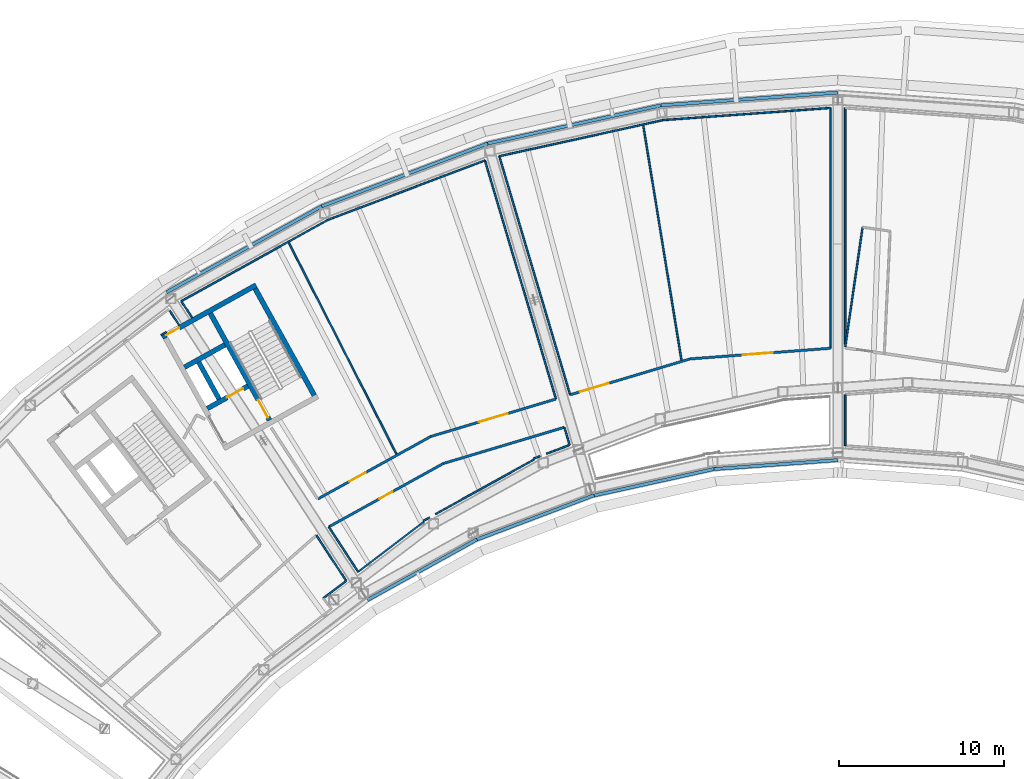
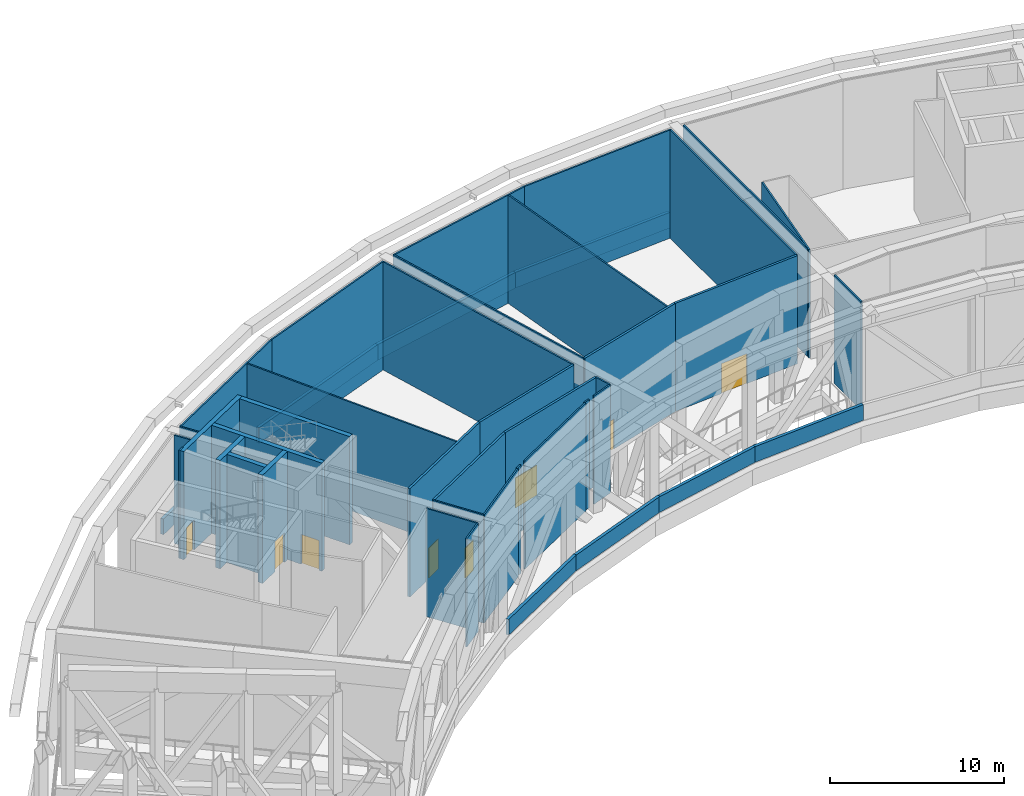
# One storey, part 8 of 24: 44 walls, 8 doors, 8 openings.
"""IFC4 building model written with IfcOpenShell, lengths in metres."""

from ifc_helpers import new_model, si_unit, direction, frame, frame_2d, origin, place, context, subcontext, project, spatial, rectangle, extrude, material, layer, layer_set, type_object, element, fill, save


model = new_model("IFC4")

# Units and contexts
model_context = context("Model", 3, precision=1e-05, world=origin(), true_north=direction((0.0, 1.0)))
body_context = subcontext(model_context, "Body", "Model", "MODEL_VIEW")
ifc_project = project(units=[si_unit("LENGTHUNIT", "METRE"), si_unit("AREAUNIT", "SQUARE_METRE"), si_unit("VOLUMEUNIT", "CUBIC_METRE"), si_unit("PLANEANGLEUNIT", "RADIAN"), si_unit("MASSUNIT", "GRAM", prefix="KILO")], contexts=[model_context])

# Site, building, storey
site_placement = place(None, origin())
site = spatial("IfcSite", under=ifc_project, at=site_placement, CompositionType="ELEMENT")
building_placement = place(site_placement, origin())
building = spatial("IfcBuilding", under=site, at=building_placement, Name="Tuul Gate Civic Tower", CompositionType="ELEMENT")
storey_placement = place(building_placement, frame((0.0, 0.0, 277.800048828125)))
storey = spatial("IfcBuildingStorey", under=building, at=storey_placement, Name="Wind floor 2", CompositionType="ELEMENT", Elevation=277.800048828125)

# Wall, opening, door
ifc_material_1 = material(Name="Concrete C50/60", Category="concrete")
ifc_layer_1 = layer(ifc_material_1, 0.300048828125)
ifc_layer_set_1 = layer_set([ifc_layer_1], Name="Concrete C50/60")
wall_type_1 = type_object("IfcWallType", Name="Core wall C50/60", PredefinedType="SHEAR", material=ifc_layer_set_1)
wall_1_placement = place(storey_placement, frame((-28.94580078125, -8.090087890625, 0.0), z_axis=(0.0, 0.0, 1.0), x_axis=(-0.874629840737, -0.484791338301, 0.0)))
wall_1 = element("IfcWall", 1, at=wall_1_placement, inside=storey, type_object=wall_type_1, Name="Core wall", PredefinedType="SHEAR", context=body_context, shape_type="SweptSolid", body=[
    extrude(rectangle(XDim=2.800048828125, YDim=0.300048828125, at=frame_2d((1.39990234375, 0.0))), origin(), (0.0, 0.0, 1.0), 7.599853515625),
])
opening_1_placement = place(wall_1_placement, frame((0.324951171875, 0.0, 0.0)))
opening_1 = element("IfcOpeningElement", 2, at=opening_1_placement, cuts=wall_1, Name="Opening LD-FF-1", PredefinedType="OPENING", context=body_context, shape_type="SweptSolid", body=[
    extrude(rectangle(XDim=1.10009765625, YDim=2.10009765625, at=frame_2d((0.550048828125, 1.050048828125))), frame((0.0, 0.16015625, 0.0), z_axis=(0.0, -1.0, 0.0), x_axis=(1.0, 0.0, 0.0)), (0.0, 0.0, 1.0), 0.320068359375),
])
ifc_material_2 = material(Name="Stainless steel", Category="steel")
door_type_1 = type_object("IfcDoorType", Name="Landing door", OperationType="DOUBLE_DOOR_SLIDING", PredefinedType="DOOR", material=ifc_material_2)
door_1_placement = place(opening_1_placement, origin())
door_1 = element("IfcDoor", 3, at=door_1_placement, inside=storey, type_object=door_type_1, Name="Fire-fighting lift FF-1 landing door", OperationType="DOUBLE_DOOR_SLIDING", OverallHeight=2.10009765625, OverallWidth=1.10009765625, PredefinedType="DOOR", context=body_context, shape_type="SweptSolid", body=[
    extrude(rectangle(XDim=1.10009765625, YDim=2.10009765625, at=frame_2d((0.550048828125, 1.050048828125))), frame((0.0, 0.02490234375, 0.0), z_axis=(0.0, -1.0, 0.0), x_axis=(1.0, 0.0, 0.0)), (0.0, 0.0, 1.0), 0.050048828125),
])
fill(opening_1, door_1)

# Wall
wall_2_placement = place(storey_placement, frame((-30.327392578125, -5.59716796875, 0.0), z_axis=(0.0, 0.0, 1.0), x_axis=(-0.874629840737, -0.484791338301, 0.0)))
element("IfcWall", 4, at=wall_2_placement, inside=storey, type_object=wall_type_1, Name="Core wall", PredefinedType="SHEAR", context=body_context, shape_type="SweptSolid", body=[
    extrude(rectangle(XDim=2.800048828125, YDim=0.300048828125, at=frame_2d((1.39990234375, 0.0))), origin(), (0.0, 0.0, 1.0), 7.599853515625),
])

# Wall, opening, door
wall_3_placement = place(storey_placement, frame((-28.4443359375, -1.98095703125, 0.0), z_axis=(0.0, 0.0, 1.0), x_axis=(-0.874629909008, -0.484791215132, 0.0)))
wall_3 = element("IfcWall", 5, at=wall_3_placement, inside=storey, type_object=wall_type_1, Name="Core wall", PredefinedType="SHEAR", context=body_context, shape_type="SweptSolid", body=[
    extrude(rectangle(XDim=6.5, YDim=0.300048828125, at=frame_2d((3.25, 0.0))), origin(), (0.0, 0.0, 1.0), 7.599853515625),
])
opening_2_placement = place(wall_3_placement, frame((5.324951171875, 0.0, 0.0)))
opening_2 = element("IfcOpeningElement", 6, at=opening_2_placement, cuts=wall_3, Name="Opening AG-D18", PredefinedType="OPENING", context=body_context, shape_type="SweptSolid", body=[
    extrude(rectangle(XDim=0.89990234375, YDim=2.10009765625, at=frame_2d((0.449951171875, 1.050048828125))), frame((0.0, 0.16015625, 0.0), z_axis=(0.0, -1.0, 0.0), x_axis=(1.0, 0.0, 0.0)), (0.0, 0.0, 1.0), 0.320068359375),
])
ifc_material_3 = material(Name="Timber door leaf", Category="wood")
door_type_2 = type_object("IfcDoorType", Name="Door D09", OperationType="NOTDEFINED", PredefinedType="DOOR", material=ifc_material_3)
door_2_placement = place(opening_2_placement, origin())
door_2 = element("IfcDoor", 7, at=door_2_placement, inside=storey, type_object=door_type_2, Name="Door AG-D18", OperationType="SINGLE_SWING_LEFT", OverallHeight=2.10009765625, OverallWidth=0.89990234375, PredefinedType="DOOR", context=body_context, shape_type="SweptSolid", body=[
    extrude(rectangle(XDim=0.89990234375, YDim=2.10009765625, at=frame_2d((0.449951171875, 1.050048828125))), frame((0.0, 0.02490234375, 0.0), z_axis=(0.0, -1.0, 0.0), x_axis=(1.0, 0.0, 0.0)), (0.0, 0.0, 1.0), 0.050048828125),
])
fill(opening_2, door_2)

# Wall
wall_4_placement = place(storey_placement, frame((-24.91552734375, -8.6572265625, 0.0), z_axis=(0.0, 0.0, 1.0), x_axis=(-0.484777133038, 0.874637714304, 0.0)))
element("IfcWall", 8, at=wall_4_placement, inside=storey, type_object=wall_type_1, Name="Core wall", PredefinedType="SHEAR", context=body_context, shape_type="SweptSolid", body=[
    extrude(rectangle(XDim=7.400146484375, YDim=0.300048828125, at=frame_2d((3.7001953125, 0.0))), origin(), (0.0, 0.0, 1.0), 7.599853515625),
])

# Wall, opening, door
wall_5_placement = place(storey_placement, frame((-27.626953125, -10.16015625, 0.0), z_axis=(0.0, 0.0, 1.0), x_axis=(-0.484751894226, 0.874651702704, 0.0)))
wall_5 = element("IfcWall", 9, at=wall_5_placement, inside=storey, type_object=wall_type_1, Name="Core wall", PredefinedType="SHEAR", context=body_context, shape_type="SweptSolid", body=[
    extrude(rectangle(XDim=7.39990234375, YDim=0.300048828125, at=frame_2d((3.699951171875, 0.0))), origin(), (0.0, 0.0, 1.0), 7.599853515625),
])
opening_3_placement = place(wall_5_placement, frame((0.199951171875, 0.0, 0.0)))
opening_3 = element("IfcOpeningElement", 10, at=opening_3_placement, cuts=wall_5, Name="Opening SD-ST-2", PredefinedType="OPENING", context=body_context, shape_type="SweptSolid", body=[
    extrude(rectangle(XDim=1.199951171875, YDim=2.10009765625, at=frame_2d((0.60009765625, 1.050048828125))), frame((0.0, 0.16015625, 0.0), z_axis=(0.0, -1.0, 0.0), x_axis=(1.0, 0.0, 0.0)), (0.0, 0.0, 1.0), 0.320068359375),
])
ifc_material_4 = material(Name="Steel", Category="steel")
door_type_3 = type_object("IfcDoorType", Name="Stair door", OperationType="NOTDEFINED", PredefinedType="DOOR", material=ifc_material_4)
door_3_placement = place(opening_3_placement, origin())
door_3 = element("IfcDoor", 11, at=door_3_placement, inside=storey, type_object=door_type_3, Name="Stair door ST-2", OperationType="SINGLE_SWING_LEFT", OverallHeight=2.10009765625, OverallWidth=1.199951171875, PredefinedType="DOOR", context=body_context, shape_type="SweptSolid", body=[
    extrude(rectangle(XDim=1.199951171875, YDim=2.10009765625, at=frame_2d((0.60009765625, 1.050048828125))), frame((0.0, 0.02490234375, 0.0), z_axis=(0.0, -1.0, 0.0), x_axis=(1.0, 0.0, 0.0)), (0.0, 0.0, 1.0), 0.050048828125),
])
fill(opening_3, door_3)

# Wall
wall_6_placement = place(storey_placement, frame((-30.680419921875, -8.8798828125, 0.0), z_axis=(0.0, 0.0, 1.0), x_axis=(-0.484724115216, 0.874667097888, 0.0)))
element("IfcWall", 12, at=wall_6_placement, inside=storey, type_object=wall_type_1, Name="Core wall", PredefinedType="SHEAR", context=body_context, shape_type="SweptSolid", body=[
    extrude(rectangle(XDim=2.550048828125, YDim=0.300048828125, at=frame_2d((1.27490234375, 0.0))), origin(), (0.0, 0.0, 1.0), 7.599853515625),
])

# Wall, opening, door
ifc_material_5 = material(Name="Gypsum board partition")
ifc_layer_2 = layer(ifc_material_5, 0.14990234375)
ifc_layer_set_2 = layer_set([ifc_layer_2], Name="Gypsum board partition")
wall_type_2 = type_object("IfcWallType", Name="Corridor wall P150", PredefinedType="PARTITIONING", material=ifc_layer_set_2)
wall_7_placement = place(storey_placement, frame((-17.8662109375, -11.1474609375, 0.0), z_axis=(0.0, 0.0, 1.0), x_axis=(0.958026386509, 0.286680035497, 0.0)))
wall_7 = element("IfcWall", 13, at=wall_7_placement, inside=storey, type_object=wall_type_2, Name="p027", PredefinedType="PARTITIONING", context=body_context, shape_type="SweptSolid", body=[
    extrude(rectangle(XDim=7.915771484375, YDim=0.14990234375, at=frame_2d((3.9580078125, 0.0))), origin(), (0.0, 0.0, 1.0), 7.599853515625),
])
opening_4_placement = place(wall_7_placement, frame((3.057861328125, 0.0, 0.0)))
opening_4 = element("IfcOpeningElement", 14, at=opening_4_placement, cuts=wall_7, Name="Opening AG-D11", PredefinedType="OPENING", context=body_context, shape_type="SweptSolid", body=[
    extrude(rectangle(XDim=1.800048828125, YDim=2.10009765625, at=frame_2d((0.89990234375, 1.050048828125))), frame((0.0, 0.0849609375, 0.0), z_axis=(0.0, -1.0, 0.0), x_axis=(1.0, 0.0, 0.0)), (0.0, 0.0, 1.0), 0.169921875),
])
ifc_material_6 = material(Name="Timber door leaf, double", Category="wood")
door_type_4 = type_object("IfcDoorType", Name="Door D18", OperationType="DOUBLE_DOOR_SINGLE_SWING", PredefinedType="DOOR", material=ifc_material_6)
door_4_placement = place(opening_4_placement, origin())
door_4 = element("IfcDoor", 15, at=door_4_placement, inside=storey, type_object=door_type_4, Name="Door AG-D11", OperationType="DOUBLE_DOOR_SINGLE_SWING", OverallHeight=2.10009765625, OverallWidth=1.800048828125, PredefinedType="DOOR", context=body_context, shape_type="SweptSolid", body=[
    extrude(rectangle(XDim=1.800048828125, YDim=2.10009765625, at=frame_2d((0.89990234375, 1.050048828125))), frame((0.0, 0.02490234375, 0.0), z_axis=(0.0, -1.0, 0.0), x_axis=(1.0, 0.0, 0.0)), (0.0, 0.0, 1.0), 0.050048828125),
])
fill(opening_4, door_4)

wall_8_placement = place(storey_placement, frame((-9.42041015625, -8.6201171875, 0.0), z_axis=(0.0, 0.0, 1.0), x_axis=(0.958035328699, 0.286650150818, 0.0)))
wall_8 = element("IfcWall", 16, at=wall_8_placement, inside=storey, type_object=wall_type_2, Name="p028", PredefinedType="PARTITIONING", context=body_context, shape_type="SweptSolid", body=[
    extrude(rectangle(XDim=7.57666015625, YDim=0.14990234375, at=frame_2d((3.788330078125, 0.0))), origin(), (0.0, 0.0, 1.0), 7.599853515625),
])
opening_5_placement = place(wall_8_placement, frame((0.6240234375, 0.0, 0.0)))
opening_5 = element("IfcOpeningElement", 17, at=opening_5_placement, cuts=wall_8, Name="Opening AG-D10", PredefinedType="OPENING", context=body_context, shape_type="SweptSolid", body=[
    extrude(rectangle(XDim=1.800048828125, YDim=2.10009765625, at=frame_2d((0.89990234375, 1.050048828125))), frame((0.0, 0.0849609375, 0.0), z_axis=(0.0, -1.0, 0.0), x_axis=(1.0, 0.0, 0.0)), (0.0, 0.0, 1.0), 0.169921875),
])
door_5_placement = place(opening_5_placement, origin())
door_5 = element("IfcDoor", 18, at=door_5_placement, inside=storey, type_object=door_type_4, Name="Door AG-D10", OperationType="DOUBLE_DOOR_SINGLE_SWING", OverallHeight=2.10009765625, OverallWidth=1.800048828125, PredefinedType="DOOR", context=body_context, shape_type="SweptSolid", body=[
    extrude(rectangle(XDim=1.800048828125, YDim=2.10009765625, at=frame_2d((0.89990234375, 1.050048828125))), frame((0.0, 0.02490234375, 0.0), z_axis=(0.0, -1.0, 0.0), x_axis=(1.0, 0.0, 0.0)), (0.0, 0.0, 1.0), 0.050048828125),
])
fill(opening_5, door_5)

wall_9_placement = place(storey_placement, frame((-2.16162109375, -6.4482421875, 0.0), z_axis=(0.0, 0.0, 1.0), x_axis=(0.997139287386, 0.075585987804, 0.0)))
wall_9 = element("IfcWall", 19, at=wall_9_placement, inside=storey, type_object=wall_type_2, Name="p029", PredefinedType="PARTITIONING", context=body_context, shape_type="SweptSolid", body=[
    extrude(rectangle(XDim=8.52392578125, YDim=0.14990234375, at=frame_2d((4.261962890625, 0.0))), origin(), (0.0, 0.0, 1.0), 7.599853515625),
])
opening_6_placement = place(wall_9_placement, frame((3.2119140625, 0.0, 0.0)))
opening_6 = element("IfcOpeningElement", 20, at=opening_6_placement, cuts=wall_9, Name="Opening AG-D09", PredefinedType="OPENING", context=body_context, shape_type="SweptSolid", body=[
    extrude(rectangle(XDim=1.800048828125, YDim=2.10009765625, at=frame_2d((0.89990234375, 1.050048828125))), frame((0.0, 0.0849609375, 0.0), z_axis=(0.0, -1.0, 0.0), x_axis=(1.0, 0.0, 0.0)), (0.0, 0.0, 1.0), 0.169921875),
])
door_6_placement = place(opening_6_placement, origin())
door_6 = element("IfcDoor", 21, at=door_6_placement, inside=storey, type_object=door_type_4, Name="Door AG-D09", OperationType="DOUBLE_DOOR_SINGLE_SWING", OverallHeight=2.10009765625, OverallWidth=1.800048828125, PredefinedType="DOOR", context=body_context, shape_type="SweptSolid", body=[
    extrude(rectangle(XDim=1.800048828125, YDim=2.10009765625, at=frame_2d((0.89990234375, 1.050048828125))), frame((0.0, 0.02490234375, 0.0), z_axis=(0.0, -1.0, 0.0), x_axis=(1.0, 0.0, 0.0)), (0.0, 0.0, 1.0), 0.050048828125),
])
fill(opening_6, door_6)

wall_10_placement = place(storey_placement, frame((-24.694091796875, -14.92578125, 0.0), z_axis=(0.0, 0.0, 1.0), x_axis=(0.874969185721, 0.484178607581, 0.0)))
wall_10 = element("IfcWall", 22, at=wall_10_placement, inside=storey, type_object=wall_type_2, Name="p031", PredefinedType="PARTITIONING", context=body_context, shape_type="SweptSolid", body=[
    extrude(rectangle(XDim=7.803466796875, YDim=0.14990234375, at=frame_2d((3.90185546875, 0.0))), origin(), (0.0, 0.0, 1.0), 7.599853515625),
])
opening_7_placement = place(wall_10_placement, frame((2.18603515625, 0.0, 0.0)))
opening_7 = element("IfcOpeningElement", 23, at=opening_7_placement, cuts=wall_10, Name="Opening AG-D12", PredefinedType="OPENING", context=body_context, shape_type="SweptSolid", body=[
    extrude(rectangle(XDim=1.10009765625, YDim=2.10009765625, at=frame_2d((0.550048828125, 1.050048828125))), frame((0.0, 0.0849609375, 0.0), z_axis=(0.0, -1.0, 0.0), x_axis=(1.0, 0.0, 0.0)), (0.0, 0.0, 1.0), 0.169921875),
])
ifc_material_7 = material(Name="Timber door leaf", Category="wood")
door_type_5 = type_object("IfcDoorType", Name="Door D11", OperationType="NOTDEFINED", PredefinedType="DOOR", material=ifc_material_7)
door_7_placement = place(opening_7_placement, origin())
door_7 = element("IfcDoor", 24, at=door_7_placement, inside=storey, type_object=door_type_5, Name="Door AG-D12", OperationType="SINGLE_SWING_RIGHT", OverallHeight=2.10009765625, OverallWidth=1.10009765625, PredefinedType="DOOR", context=body_context, shape_type="SweptSolid", body=[
    extrude(rectangle(XDim=1.10009765625, YDim=2.10009765625, at=frame_2d((0.550048828125, 1.050048828125))), frame((0.0, 0.02490234375, 0.0), z_axis=(0.0, -1.0, 0.0), x_axis=(1.0, 0.0, 0.0)), (0.0, 0.0, 1.0), 0.050048828125),
])
fill(opening_7, door_7)

# Wall
wall_11_placement = place(storey_placement, frame((-17.106201171875, -12.784423828125, 0.0), z_axis=(0.0, 0.0, 1.0), x_axis=(0.958034966916, 0.286651359957, 0.0)))
element("IfcWall", 25, at=wall_11_placement, inside=storey, type_object=wall_type_2, Name="p033", PredefinedType="PARTITIONING", context=body_context, shape_type="SweptSolid", body=[
    extrude(rectangle(XDim=7.654296875, YDim=0.14990234375, at=frame_2d((3.8271484375, 0.0))), origin(), (0.0, 0.0, 1.0), 7.599853515625),
])

# Wall, opening, door
wall_12_placement = place(storey_placement, frame((-24.044189453125, -16.623291015625, 0.0), z_axis=(0.0, 0.0, 1.0), x_axis=(0.874965458534, 0.484185342996, 0.0)))
wall_12 = element("IfcWall", 26, at=wall_12_placement, inside=storey, type_object=wall_type_2, Name="p034", PredefinedType="PARTITIONING", context=body_context, shape_type="SweptSolid", body=[
    extrude(rectangle(XDim=7.925048828125, YDim=0.14990234375, at=frame_2d((3.96240234375, 0.0))), origin(), (0.0, 0.0, 1.0), 7.599853515625),
])
opening_8_placement = place(wall_12_placement, frame((3.512451171875, 0.0, 0.0)))
opening_8 = element("IfcOpeningElement", 27, at=opening_8_placement, cuts=wall_12, Name="Opening AG-D13", PredefinedType="OPENING", context=body_context, shape_type="SweptSolid", body=[
    extrude(rectangle(XDim=0.89990234375, YDim=2.10009765625, at=frame_2d((0.449951171875, 1.050048828125))), frame((0.0, 0.0849609375, 0.0), z_axis=(0.0, -1.0, 0.0), x_axis=(1.0, 0.0, 0.0)), (0.0, 0.0, 1.0), 0.169921875),
])
door_8_placement = place(opening_8_placement, frame((0.89990234375, 0.0, 0.0), z_axis=(0.0, 0.0, 1.0), x_axis=(-1.0, 0.0, 0.0)))
door_8 = element("IfcDoor", 28, at=door_8_placement, inside=storey, type_object=door_type_2, Name="Door AG-D13", OperationType="SINGLE_SWING_LEFT", OverallHeight=2.10009765625, OverallWidth=0.89990234375, PredefinedType="DOOR", context=body_context, shape_type="SweptSolid", body=[
    extrude(rectangle(XDim=0.89990234375, YDim=2.10009765625, at=frame_2d((0.449951171875, 1.050048828125))), frame((0.0, 0.02490234375, 0.0), z_axis=(0.0, -1.0, 0.0), x_axis=(1.0, 0.0, 0.0)), (0.0, 0.0, 1.0), 0.050048828125),
])
fill(opening_8, door_8)

# Walls
ifc_material_8 = material(Name="Concrete C40/50", Category="concrete")
ifc_layer_3 = layer(ifc_material_8, 0.199951171875)
ifc_layer_set_3 = layer_set([ifc_layer_3], Name="Concrete C40/50")
wall_type_3 = type_object("IfcWallType", Name="Crown parapet", PredefinedType="PARAPET", material=ifc_layer_set_3)
wall_13_placement = place(storey_placement, frame((6.7880859375, 9.6826171875, 0.0), z_axis=(0.0, 0.0, 1.0), x_axis=(-0.997385033407, -0.072270984055, 0.0)))
element("IfcWall", 29, at=wall_13_placement, inside=storey, type_object=wall_type_3, Name="Parapet", PredefinedType="PARAPET", context=body_context, shape_type="SweptSolid", body=[
    extrude(rectangle(XDim=10.742431640625, YDim=0.199951171875, at=frame_2d((5.37109375, 0.0))), origin(), (0.0, 0.0, 1.0), 1.099853515625),
])
wall_14_placement = place(storey_placement, frame((-3.92626953125, 8.90625, 0.0), z_axis=(0.0, 0.0, 1.0), x_axis=(-0.97657630394, -0.215171379564, 0.0)))
element("IfcWall", 30, at=wall_14_placement, inside=storey, type_object=wall_type_3, Name="Parapet", PredefinedType="PARAPET", context=body_context, shape_type="SweptSolid", body=[
    extrude(rectangle(XDim=10.906005859375, YDim=0.199951171875, at=frame_2d((5.453125, 0.0))), origin(), (0.0, 0.0, 1.0), 1.099853515625),
])
wall_15_placement = place(storey_placement, frame((-14.4169921875, 6.594970703125, 0.0), z_axis=(0.0, 0.0, 1.0), x_axis=(-0.935331194479, -0.353773312495, 0.0)))
element("IfcWall", 31, at=wall_15_placement, inside=storey, type_object=wall_type_3, Name="Parapet", PredefinedType="PARAPET", context=body_context, shape_type="SweptSolid", body=[
    extrude(rectangle(XDim=10.78759765625, YDim=0.199951171875, at=frame_2d((5.393798828125, 0.0))), origin(), (0.0, 0.0, 1.0), 1.099853515625),
])
wall_16_placement = place(storey_placement, frame((-24.46484375, 2.79443359375, 0.0), z_axis=(0.0, 0.0, 1.0), x_axis=(-0.874659582187, -0.484737676778, 0.0)))
element("IfcWall", 32, at=wall_16_placement, inside=storey, type_object=wall_type_3, Name="Parapet", PredefinedType="PARAPET", context=body_context, shape_type="SweptSolid", body=[
    extrude(rectangle(XDim=10.742431640625, YDim=0.199951171875, at=frame_2d((5.37109375, 0.0))), origin(), (0.0, 0.0, 1.0), 1.099853515625),
])
wall_17_placement = place(storey_placement, frame((-21.691162109375, -21.050048828125, 0.0), z_axis=(0.0, 0.0, 1.0), x_axis=(0.874613204142, 0.484821351778, 0.0)))
element("IfcWall", 33, at=wall_17_placement, inside=storey, type_object=wall_type_3, Name="Parapet", PredefinedType="PARAPET", context=body_context, shape_type="SweptSolid", body=[
    extrude(rectangle(XDim=7.571044921875, YDim=0.199951171875, at=frame_2d((3.78564453125, 0.0))), origin(), (0.0, 0.0, 1.0), 1.099853515625),
])
wall_18_placement = place(storey_placement, frame((-15.109130859375, -17.401611328125, 0.0), z_axis=(0.0, 0.0, 1.0), x_axis=(0.935332015736, 0.35377114119, 0.0)))
element("IfcWall", 34, at=wall_18_placement, inside=storey, type_object=wall_type_3, Name="Parapet", PredefinedType="PARAPET", context=body_context, shape_type="SweptSolid", body=[
    extrude(rectangle(XDim=7.63525390625, YDim=0.199951171875, at=frame_2d((3.817626953125, 0.0))), origin(), (0.0, 0.0, 1.0), 1.099853515625),
])
wall_19_placement = place(storey_placement, frame((-8.06884765625, -14.739013671875, 0.0), z_axis=(0.0, 0.0, 1.0), x_axis=(0.976562979825, 0.21523184345, 0.0)))
element("IfcWall", 35, at=wall_19_placement, inside=storey, type_object=wall_type_3, Name="Parapet", PredefinedType="PARAPET", context=body_context, shape_type="SweptSolid", body=[
    extrude(rectangle(XDim=7.701904296875, YDim=0.199951171875, at=frame_2d((3.85107421875, 0.0))), origin(), (0.0, 0.0, 1.0), 1.099853515625),
])
wall_20_placement = place(storey_placement, frame((-0.71875, -13.119140625, 0.0), z_axis=(0.0, 0.0, 1.0), x_axis=(0.997389741287, 0.072205982962, 0.0)))
element("IfcWall", 36, at=wall_20_placement, inside=storey, type_object=wall_type_3, Name="Parapet", PredefinedType="PARAPET", context=body_context, shape_type="SweptSolid", body=[
    extrude(rectangle(XDim=7.5263671875, YDim=0.199951171875, at=frame_2d((3.76318359375, 0.0))), origin(), (0.0, 0.0, 1.0), 1.099853515625),
])
ifc_material_9 = material(Name="Gypsum board partition")
ifc_layer_4 = layer(ifc_material_9, 0.10009765625)
ifc_layer_set_4 = layer_set([ifc_layer_4], Name="Gypsum board partition")
wall_type_4 = type_object("IfcWallType", Name="Partition P100", PredefinedType="PARTITIONING", material=ifc_layer_set_4)
wall_21_placement = place(storey_placement, frame((7.238037109375, -5.703125, 0.0), z_axis=(0.0, 0.0, 1.0), x_axis=(0.143712629183, 0.989619462325, 0.0)))
element("IfcWall", 37, at=wall_21_placement, inside=storey, type_object=wall_type_4, Name="p022", PredefinedType="PARTITIONING", context=body_context, shape_type="SweptSolid", body=[
    extrude(rectangle(XDim=7.308349609375, YDim=0.10009765625, at=frame_2d((3.654296875, 0.0))), origin(), (0.0, 0.0, 1.0), 7.599853515625),
])
wall_22_placement = place(storey_placement, frame((-5.005126953125, 7.7470703125, 0.0), z_axis=(0.0, 0.0, 1.0), x_axis=(0.160734581328, -0.986997666849, 0.0)))
element("IfcWall", 38, at=wall_22_placement, inside=storey, type_object=wall_type_4, Name="p026", PredefinedType="PARTITIONING", context=body_context, shape_type="SweptSolid", body=[
    extrude(rectangle(XDim=14.535888671875, YDim=0.10009765625, at=frame_2d((7.26806640625, 0.0))), origin(), (0.0, 0.0, 1.0), 7.599853515625),
])
wall_23_placement = place(storey_placement, frame((-26.4892578125, 0.643798828125, 0.0), z_axis=(0.0, 0.0, 1.0), x_axis=(0.453989339683, -0.891007115266, 0.0)))
element("IfcWall", 39, at=wall_23_placement, inside=storey, type_object=wall_type_4, Name="p030", PredefinedType="PARTITIONING", context=body_context, shape_type="SweptSolid", body=[
    extrude(rectangle(XDim=14.500244140625, YDim=0.10009765625, at=frame_2d((7.25, 0.0))), origin(), (0.0, 0.0, 1.0), 7.599853515625),
])
wall_24_placement = place(storey_placement, frame((7.238037109375, -11.705322265625, 0.0), z_axis=(0.0, 0.0, 1.0), x_axis=(0.0, 1.0, 0.0)))
element("IfcWall", 40, at=wall_24_placement, inside=storey, type_object=wall_type_4, Name="p066", PredefinedType="PARTITIONING", context=body_context, shape_type="SweptSolid", body=[
    extrude(rectangle(XDim=3.09765625, YDim=0.10009765625, at=frame_2d((1.548828125, 0.0))), origin(), (0.0, 0.0, 1.0), 7.599853515625),
])
wall_25_placement = place(storey_placement, frame((7.238037109375, -5.552978515625, 0.0), z_axis=(0.0, 0.0, 1.0), x_axis=(0.0, 1.0, 0.0)))
element("IfcWall", 41, at=wall_25_placement, inside=storey, type_object=wall_type_4, Name="p069", PredefinedType="PARTITIONING", context=body_context, shape_type="SweptSolid", body=[
    extrude(rectangle(XDim=14.30126953125, YDim=0.10009765625, at=frame_2d((7.150634765625, 0.0))), origin(), (0.0, 0.0, 1.0), 7.599853515625),
])
wall_26_placement = place(storey_placement, frame((-13.71875, 5.82666015625, 0.0), z_axis=(0.0, 0.0, 1.0), x_axis=(0.97656716042, 0.215212874124, 0.0)))
element("IfcWall", 42, at=wall_26_placement, inside=storey, type_object=wall_type_4, Name="p073", PredefinedType="PARTITIONING", context=body_context, shape_type="SweptSolid", body=[
    extrude(rectangle(XDim=10.160888671875, YDim=0.10009765625, at=frame_2d((5.08056640625, 0.0))), origin(), (0.0, 0.0, 1.0), 7.599853515625),
])
wall_27_placement = place(storey_placement, frame((-3.7958984375, 8.013427734375, 0.0), z_axis=(0.0, 0.0, 1.0), x_axis=(0.997381029171, 0.072326223808, 0.0)))
element("IfcWall", 43, at=wall_27_placement, inside=storey, type_object=wall_type_4, Name="p074", PredefinedType="PARTITIONING", context=body_context, shape_type="SweptSolid", body=[
    extrude(rectangle(XDim=10.160400390625, YDim=0.10009765625, at=frame_2d((5.080078125, 0.0))), origin(), (0.0, 0.0, 1.0), 7.599853515625),
])
wall_28_placement = place(storey_placement, frame((6.337890625, 8.748291015625, 0.0), z_axis=(0.0, 0.0, 1.0), x_axis=(0.0, -1.0, 0.0)))
element("IfcWall", 44, at=wall_28_placement, inside=storey, type_object=wall_type_4, Name="p075", PredefinedType="PARTITIONING", context=body_context, shape_type="SweptSolid", body=[
    extrude(rectangle(XDim=14.55224609375, YDim=0.10009765625, at=frame_2d((7.276123046875, 0.0))), origin(), (0.0, 0.0, 1.0), 7.599853515625),
])
wall_29_placement = place(storey_placement, frame((-9.42041015625, -8.6201171875, 0.0), z_axis=(0.0, 0.0, 1.0), x_axis=(-0.285174590273, 0.958475588141, 0.0)))
element("IfcWall", 45, at=wall_29_placement, inside=storey, type_object=wall_type_4, Name="p077", PredefinedType="PARTITIONING", context=body_context, shape_type="SweptSolid", body=[
    extrude(rectangle(XDim=15.07275390625, YDim=0.10009765625, at=frame_2d((7.536376953125, 0.0))), origin(), (0.0, 0.0, 1.0), 7.599853515625),
])
wall_30_placement = place(storey_placement, frame((-32.97265625, -2.949951171875, 0.0), z_axis=(0.0, 0.0, 1.0), x_axis=(0.874632903096, 0.484785813346, 0.0)))
element("IfcWall", 46, at=wall_30_placement, inside=storey, type_object=wall_type_4, Name="p078", PredefinedType="PARTITIONING", context=body_context, shape_type="SweptSolid", body=[
    extrude(rectangle(XDim=10.16015625, YDim=0.10009765625, at=frame_2d((5.080078125, 0.0))), origin(), (0.0, 0.0, 1.0), 7.599853515625),
])
wall_31_placement = place(storey_placement, frame((-24.086181640625, 1.9755859375, 0.0), z_axis=(0.0, 0.0, 1.0), x_axis=(0.935350074119, 0.353723393128, 0.0)))
element("IfcWall", 47, at=wall_31_placement, inside=storey, type_object=wall_type_4, Name="p079", PredefinedType="PARTITIONING", context=body_context, shape_type="SweptSolid", body=[
    extrude(rectangle(XDim=10.161865234375, YDim=0.10009765625, at=frame_2d((5.0810546875, 0.0))), origin(), (0.0, 0.0, 1.0), 7.599853515625),
])
wall_32_placement = place(storey_placement, frame((-14.581298828125, 5.570068359375, 0.0), z_axis=(0.0, 0.0, 1.0), x_axis=(0.285162907726, -0.958479063964, 0.0)))
element("IfcWall", 48, at=wall_32_placement, inside=storey, type_object=wall_type_4, Name="p080", PredefinedType="PARTITIONING", context=body_context, shape_type="SweptSolid", body=[
    extrude(rectangle(XDim=15.07421875, YDim=0.10009765625, at=frame_2d((7.537109375, 0.0))), origin(), (0.0, 0.0, 1.0), 7.599853515625),
])
wall_33_placement = place(storey_placement, frame((-32.316162109375, -3.95556640625, 0.0), z_axis=(0.0, 0.0, 1.0), x_axis=(-0.546652198327, 0.837359763819, 0.0)))
element("IfcWall", 49, at=wall_33_placement, inside=storey, type_object=wall_type_4, Name="p081", PredefinedType="PARTITIONING", context=body_context, shape_type="SweptSolid", body=[
    extrude(rectangle(XDim=1.200927734375, YDim=0.10009765625, at=frame_2d((0.6005859375, 0.0))), origin(), (0.0, 0.0, 1.0), 7.599853515625),
])
wall_34_placement = place(storey_placement, frame((-9.773193359375, -10.59033203125, 0.0), z_axis=(0.0, 0.0, 1.0), x_axis=(0.285084098126, -0.958502507558, 0.0)))
element("IfcWall", 50, at=wall_34_placement, inside=storey, type_object=wall_type_4, Name="p083", PredefinedType="PARTITIONING", context=body_context, shape_type="SweptSolid", body=[
    extrude(rectangle(XDim=1.118408203125, YDim=0.10009765625, at=frame_2d((0.55908203125, 0.0))), origin(), (0.0, 0.0, 1.0), 7.599853515625),
])
wall_35_placement = place(storey_placement, frame((-9.454345703125, -11.662353515625, 0.0), z_axis=(0.0, 0.0, 1.0), x_axis=(-0.935378370295, -0.353648560557, 0.0)))
element("IfcWall", 51, at=wall_35_placement, inside=storey, type_object=wall_type_4, Name="p084", PredefinedType="PARTITIONING", context=body_context, shape_type="SweptSolid", body=[
    extrude(rectangle(XDim=1.4931640625, YDim=0.10009765625, at=frame_2d((0.74658203125, 0.0))), origin(), (0.0, 0.0, 1.0), 7.599853515625),
])
wall_36_placement = place(storey_placement, frame((-11.24560546875, -12.339599609375, 0.0), z_axis=(0.0, 0.0, 1.0), x_axis=(-0.93529148989, -0.353878268532, 0.0)))
element("IfcWall", 52, at=wall_36_placement, inside=storey, type_object=wall_type_4, Name="p085", PredefinedType="PARTITIONING", context=body_context, shape_type="SweptSolid", body=[
    extrude(rectangle(XDim=0.41748046875, YDim=0.10009765625, at=frame_2d((0.208740234375, 0.0))), origin(), (0.0, 0.0, 1.0), 7.599853515625),
])
wall_37_placement = place(storey_placement, frame((-11.614501953125, -12.544189453125, 0.0), z_axis=(0.0, 0.0, 1.0), x_axis=(-0.874606483094, -0.484833476289, 0.0)))
element("IfcWall", 53, at=wall_37_placement, inside=storey, type_object=wall_type_4, Name="p086", PredefinedType="PARTITIONING", context=body_context, shape_type="SweptSolid", body=[
    extrude(rectangle(XDim=6.813720703125, YDim=0.10009765625, at=frame_2d((3.40673828125, 0.0))), origin(), (0.0, 0.0, 1.0), 7.599853515625),
])
wall_38_placement = place(storey_placement, frame((-17.942626953125, -16.05224609375, 0.0), z_axis=(0.0, 0.0, 1.0), x_axis=(-0.874680772619, -0.484699438838, 0.0)))
element("IfcWall", 54, at=wall_38_placement, inside=storey, type_object=wall_type_4, Name="p087", PredefinedType="PARTITIONING", context=body_context, shape_type="SweptSolid", body=[
    extrude(rectangle(XDim=0.41748046875, YDim=0.10009765625, at=frame_2d((0.208740234375, 0.0))), origin(), (0.0, 0.0, 1.0), 7.599853515625),
])
wall_39_placement = place(storey_placement, frame((-18.2783203125, -16.307861328125, 0.0), z_axis=(0.0, 0.0, 1.0), x_axis=(-0.795619485048, -0.605796694454, 0.0)))
element("IfcWall", 55, at=wall_39_placement, inside=storey, type_object=wall_type_4, Name="p088", PredefinedType="PARTITIONING", context=body_context, shape_type="SweptSolid", body=[
    extrude(rectangle(XDim=5.013427734375, YDim=0.10009765625, at=frame_2d((2.5068359375, 0.0))), origin(), (0.0, 0.0, 1.0), 7.599853515625),
])
wall_40_placement = place(storey_placement, frame((-22.26708984375, -19.344970703125, 0.0), z_axis=(0.0, 0.0, 1.0), x_axis=(-0.546719053067, 0.837316115344, 0.0)))
element("IfcWall", 56, at=wall_40_placement, inside=storey, type_object=wall_type_4, Name="p089", PredefinedType="PARTITIONING", context=body_context, shape_type="SweptSolid", body=[
    extrude(rectangle(XDim=3.25048828125, YDim=0.10009765625, at=frame_2d((1.625244140625, 0.0))), origin(), (0.0, 0.0, 1.0), 7.599853515625),
])
wall_41_placement = place(storey_placement, frame((-33.67138671875, -3.52587890625, 0.0), z_axis=(0.0, 0.0, 1.0), x_axis=(0.5465122815, -0.837451088822, 0.0)))
element("IfcWall", 57, at=wall_41_placement, inside=storey, type_object=wall_type_4, Name="p091", PredefinedType="PARTITIONING", context=body_context, shape_type="SweptSolid", body=[
    extrude(rectangle(XDim=1.035400390625, YDim=0.10009765625, at=frame_2d((0.517578125, 0.0))), origin(), (0.0, 0.0, 1.0), 7.599853515625),
])
wall_42_placement = place(storey_placement, frame((-33.874267578125, -4.819091796875, 0.0), z_axis=(0.0, 0.0, 1.0), x_axis=(-0.874464236918, -0.485089989951, 0.0)))
element("IfcWall", 58, at=wall_42_placement, inside=storey, type_object=wall_type_4, Name="p092", PredefinedType="PARTITIONING", context=body_context, shape_type="SweptSolid", body=[
    extrude(rectangle(XDim=0.375, YDim=0.10009765625, at=frame_2d((0.1875, 0.0))), origin(), (0.0, 0.0, 1.0), 7.599853515625),
])
wall_43_placement = place(storey_placement, frame((-24.7900390625, -17.127197265625, 0.0), z_axis=(0.0, 0.0, 1.0), x_axis=(0.546705319596, -0.837325082346, 0.0)))
element("IfcWall", 59, at=wall_43_placement, inside=storey, type_object=wall_type_4, Name="p093", PredefinedType="PARTITIONING", context=body_context, shape_type="SweptSolid", body=[
    extrude(rectangle(XDim=3.301513671875, YDim=0.10009765625, at=frame_2d((1.65087890625, 0.0))), origin(), (0.0, 0.0, 1.0), 7.599853515625),
])
wall_44_placement = place(storey_placement, frame((-22.985107421875, -19.8916015625, 0.0), z_axis=(0.0, 0.0, 1.0), x_axis=(-0.795609190669, -0.605810214277, 0.0)))
element("IfcWall", 60, at=wall_44_placement, inside=storey, type_object=wall_type_4, Name="p094", PredefinedType="PARTITIONING", context=body_context, shape_type="SweptSolid", body=[
    extrude(rectangle(XDim=1.736572265625, YDim=0.10009765625, at=frame_2d((0.8681640625, 0.0))), origin(), (0.0, 0.0, 1.0), 7.599853515625),
])

save(model, "model.ifc")
